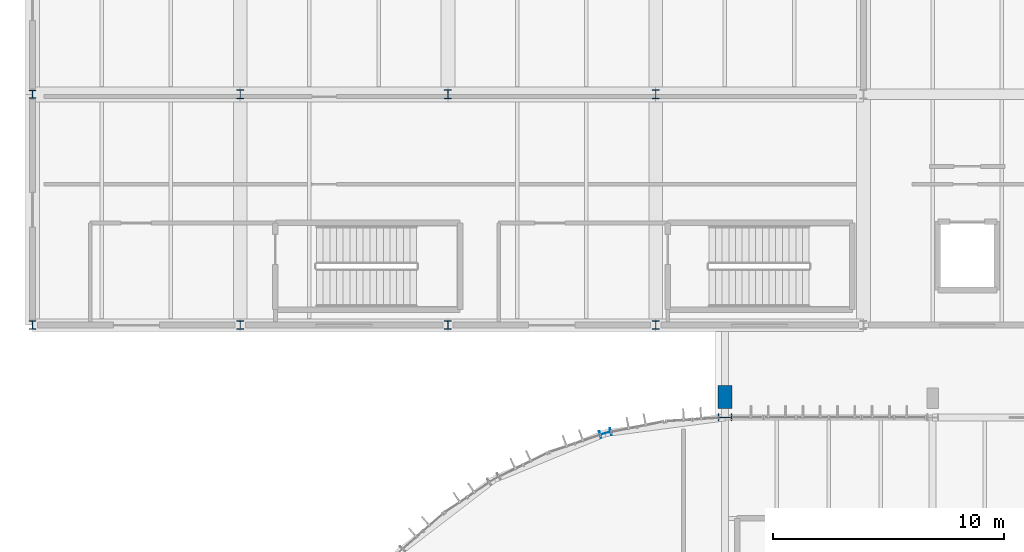
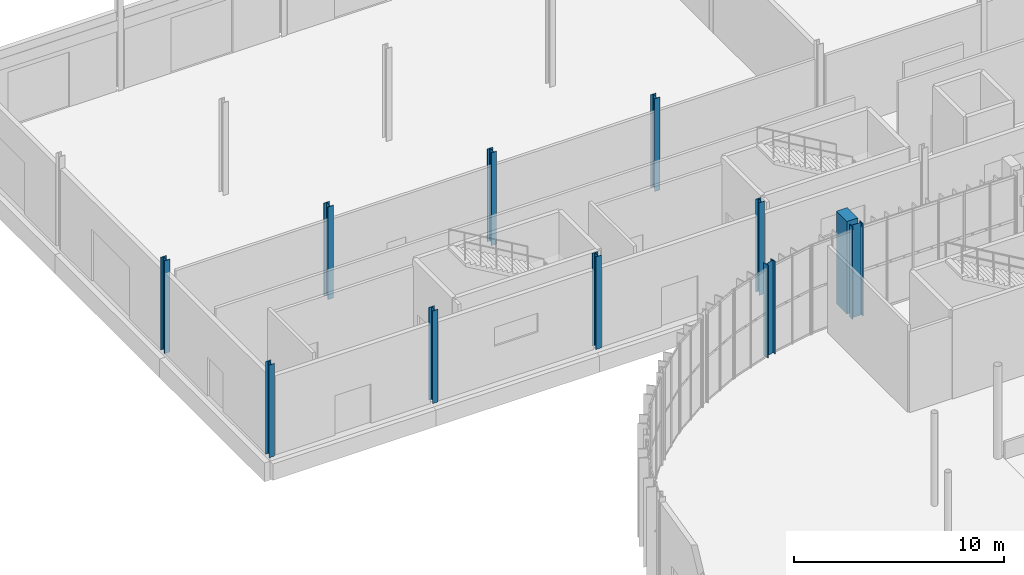
# One storey, part 10 of 158: 11 columns.
"""IFC4 building model written with IfcOpenShell, lengths in metres."""

from ifc_helpers import new_model, si_unit, derived_unit, direction, frame, origin, origin_2d, place, context, subcontext, project, spatial, rectangle, i_section, extrude, material, material_profile, profile_set, type_object, element, save


model = new_model("IFC4")

# Units and contexts
model_context = context("Model", 3, precision=1e-05, world=origin(), true_north=direction((0.0, 1.0)))
body_context = subcontext(model_context, "Body", "Model", "MODEL_VIEW")
ifc_project = project(units=[si_unit("LENGTHUNIT", "METRE"), si_unit("AREAUNIT", "SQUARE_METRE"), si_unit("VOLUMEUNIT", "CUBIC_METRE"), si_unit("PLANEANGLEUNIT", "RADIAN"), si_unit("MASSUNIT", "GRAM", prefix="KILO"), si_unit("THERMODYNAMICTEMPERATUREUNIT", "KELVIN"), si_unit("TIMEUNIT", "SECOND"), derived_unit("THERMALTRANSMITTANCEUNIT", [(si_unit("MASSUNIT", "GRAM", prefix="KILO"), 1), (si_unit("THERMODYNAMICTEMPERATUREUNIT", "KELVIN"), -1), (si_unit("TIMEUNIT", "SECOND"), -3)])], contexts=[model_context])

# Site, building, storey
site_placement = place(None, origin())
site = spatial("IfcSite", under=ifc_project, at=site_placement, CompositionType="ELEMENT")
building_placement = place(site_placement, origin())
building = spatial("IfcBuilding", under=site, at=building_placement, Name="Cambertide Market Hall", CompositionType="ELEMENT")
storey_placement = place(building_placement, origin())
storey = spatial("IfcBuildingStorey", under=building, at=storey_placement, Name="L01", CompositionType="ELEMENT", Elevation=0.0)

# Columns
ifc_material_1 = material(Name="Concrete B35", Category="concrete")
ifc_material_profile_1 = material_profile(ifc_material_1, rectangle(XDim=0.60009765625, YDim=1.0, at=origin_2d()), Name="RC 600x1000")
ifc_profile_set_1 = profile_set([ifc_material_profile_1], Name="Concrete B35")
column_type_1 = type_object("IfcColumnType", Name="Exterior Concrete Buttress Pilaster RC 600x1000", PredefinedType="PILASTER", material=ifc_profile_set_1)
column_1_placement = place(storey_placement, frame((42.0, 92.8798828125, 0.0), z_axis=(0.0, 0.0, 1.0), x_axis=(1.0, 0.0, 0.0)))
element("IfcColumn", 1, at=column_1_placement, inside=storey, type_object=column_type_1, Name="Level 1 Pilaster PIL-V1-N1-L01", PredefinedType="PILASTER", context=body_context, shape_type="SweptSolid", body=[
    extrude(rectangle(XDim=0.60009765625, YDim=1.0, at=origin_2d()), origin(), (0.0, 0.0, 1.0), 5.39990234375),
])
ifc_material_2 = material(Name="Steel S355", Category="steel")
ifc_material_profile_2 = material_profile(ifc_material_2, i_section(OverallWidth=0.300048828125, OverallDepth=0.360107421875, WebThickness=0.012451171875, FlangeThickness=0.0224609375, FilletRadius=0.027099609375, at=origin_2d()), Name="HEB 360")
ifc_profile_set_2 = profile_set([ifc_material_profile_2], Name="Steel S355")
column_type_2 = type_object("IfcColumnType", Name="Exterior Steel Column HEB 360", PredefinedType="COLUMN", material=ifc_profile_set_2)
for number, where, z_axis, x_axis, name in (
    (2, (12.0, 96.0, 0.0), (0.0, 0.0, 1.0), (1.0, 0.0, 0.0), "Level 1 Column COL-V2-1-1-L01"),
    (3, (12.0, 106.0, 0.0), (0.0, 0.0, 1.0), (1.0, 0.0, 0.0), "Level 1 Column COL-V2-1-2-L01"),
    (4, (21.0, 96.0, 0.0), (0.0, 0.0, 1.0), (1.0, 0.0, 0.0), "Level 1 Column COL-V2-2-1-L01"),
    (5, (30.0, 96.0, 0.0), (0.0, 0.0, 1.0), (1.0, 0.0, 0.0), "Level 1 Column COL-V2-3-1-L01"),
    (6, (39.0, 96.0, 0.0), (0.0, 0.0, 1.0), (1.0, 0.0, 0.0), "Level 1 Column COL-V2-4-1-L01"),
):
    element("IfcColumn", number, at=place(storey_placement, frame(where, z_axis=z_axis, x_axis=x_axis)), inside=storey, type_object=column_type_2, Name=name, PredefinedType="COLUMN", context=body_context, shape_type="SweptSolid", body=[
        extrude(i_section(OverallWidth=0.300048828125, OverallDepth=0.360107421875, WebThickness=0.012451171875, FlangeThickness=0.0224609375, FilletRadius=0.027099609375, at=origin_2d()), origin(), (0.0, 0.0, 1.0), 5.39990234375),
    ])
ifc_material_3 = material(Name="Steel S355", Category="steel")
ifc_material_profile_3 = material_profile(ifc_material_3, i_section(OverallWidth=0.300048828125, OverallDepth=0.5, WebThickness=0.014404296875, FlangeThickness=0.028076171875, FilletRadius=0.027099609375, at=origin_2d()), Name="HEB 500")
ifc_profile_set_3 = profile_set([ifc_material_profile_3], Name="Steel S355")
column_type_3 = type_object("IfcColumnType", Name="Exterior Steel Column HEB 500", PredefinedType="COLUMN", material=ifc_profile_set_3)
column_2_placement = place(storey_placement, frame((36.82373046875, 91.318603515625, 0.0), z_axis=(0.0, 0.0, 1.0), x_axis=(-0.258819045103, 0.965925826289, 0.0)))
element("IfcColumn", 7, at=column_2_placement, inside=storey, type_object=column_type_3, Name="Level 1 Column COL-V1-AW02-L01", PredefinedType="COLUMN", context=body_context, shape_type="SweptSolid", body=[
    extrude(i_section(OverallWidth=0.300048828125, OverallDepth=0.5, WebThickness=0.014404296875, FlangeThickness=0.028076171875, FilletRadius=0.027099609375, at=origin_2d()), origin(), (0.0, 0.0, 1.0), 5.39990234375),
])
ifc_material_4 = material(Name="Steel S355", Category="steel")
ifc_material_profile_4 = material_profile(ifc_material_4, i_section(OverallWidth=0.300048828125, OverallDepth=0.60009765625, WebThickness=0.015380859375, FlangeThickness=0.030029296875, FilletRadius=0.027099609375, at=origin_2d()), Name="HEB 600")
ifc_profile_set_4 = profile_set([ifc_material_profile_4], Name="Steel S355")
column_type_4 = type_object("IfcColumnType", Name="Exterior Steel Column HEB 600", PredefinedType="COLUMN", material=ifc_profile_set_4)
column_3_placement = place(storey_placement, frame((42.0, 92.0, 0.0), z_axis=(0.0, 0.0, 1.0), x_axis=(0.0, 1.0, 0.0)))
element("IfcColumn", 8, at=column_3_placement, inside=storey, type_object=column_type_4, Name="Level 1 Column COL-V1-N1-L01", PredefinedType="COLUMN", context=body_context, shape_type="SweptSolid", body=[
    extrude(i_section(OverallWidth=0.300048828125, OverallDepth=0.60009765625, WebThickness=0.015380859375, FlangeThickness=0.030029296875, FilletRadius=0.027099609375, at=origin_2d()), origin(), (0.0, 0.0, 1.0), 5.39990234375),
])
ifc_material_5 = material(Name="Steel S355", Category="steel")
ifc_material_profile_5 = material_profile(ifc_material_5, i_section(OverallWidth=0.300048828125, OverallDepth=0.39990234375, WebThickness=0.013427734375, FlangeThickness=0.02392578125, FilletRadius=0.027099609375, at=origin_2d()), Name="HEB 400")
ifc_profile_set_5 = profile_set([ifc_material_profile_5], Name="Steel S355")
column_type_5 = type_object("IfcColumnType", Name="Steel Column HEB 400", PredefinedType="COLUMN", material=ifc_profile_set_5)
for number, where, z_axis, x_axis, name in (
    (9, (21.0, 106.0, 0.0), (0.0, 0.0, 1.0), (1.0, 0.0, 0.0), "Level 1 Column COL-V2-2-2-L01"),
    (10, (30.0, 106.0, 0.0), (0.0, 0.0, 1.0), (1.0, 0.0, 0.0), "Level 1 Column COL-V2-3-2-L01"),
    (11, (39.0, 106.0, 0.0), (0.0, 0.0, 1.0), (1.0, 0.0, 0.0), "Level 1 Column COL-V2-4-2-L01"),
):
    element("IfcColumn", number, at=place(storey_placement, frame(where, z_axis=z_axis, x_axis=x_axis)), inside=storey, type_object=column_type_5, Name=name, PredefinedType="COLUMN", context=body_context, shape_type="SweptSolid", body=[
        extrude(i_section(OverallWidth=0.300048828125, OverallDepth=0.39990234375, WebThickness=0.013427734375, FlangeThickness=0.02392578125, FilletRadius=0.027099609375, at=origin_2d()), origin(), (0.0, 0.0, 1.0), 5.39990234375),
    ])

save(model, "model.ifc")
